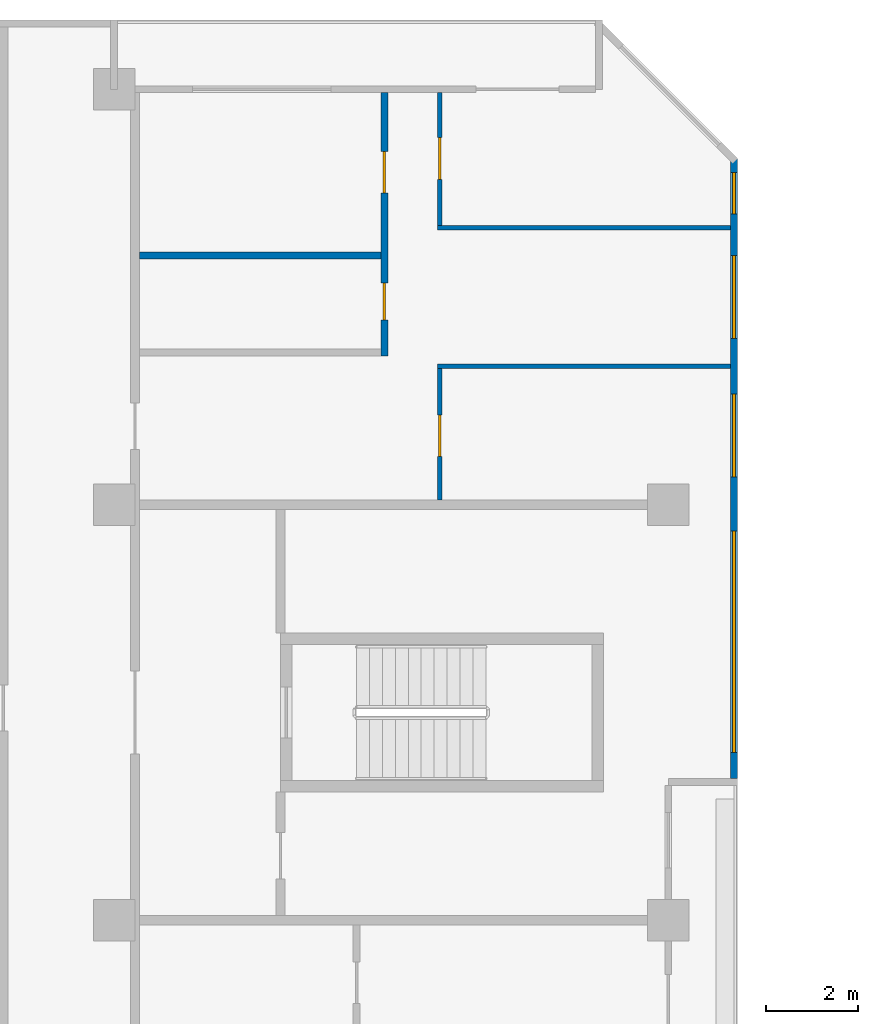
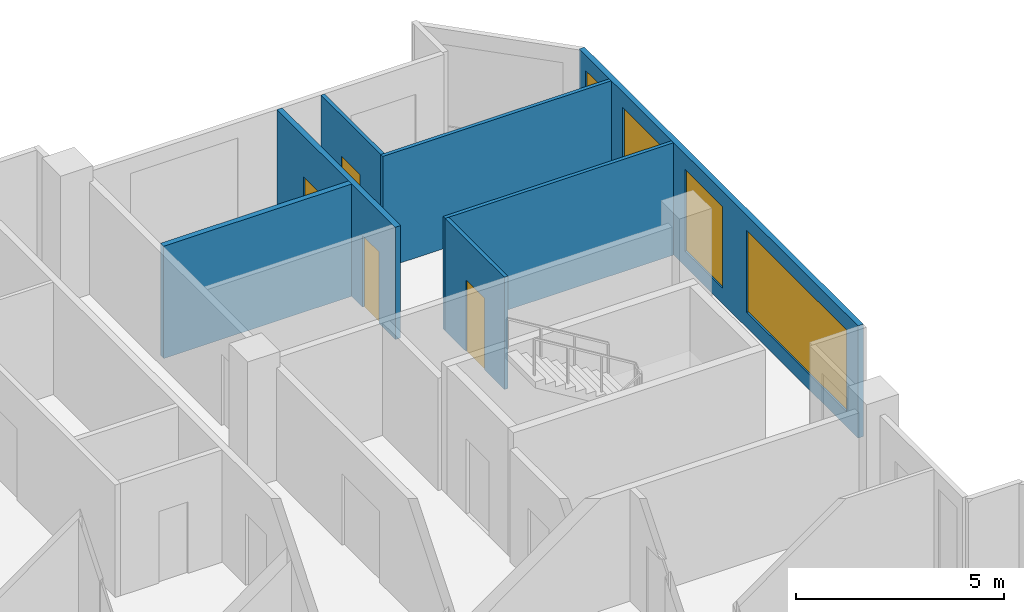
# One storey, part 11 of 15: 7 walls, 4 doors, 4 windows, 8 openings.
"""IFC4 building model written with IfcOpenShell, lengths in metres."""

from ifc_helpers import new_model, si_unit, direction, frame, frame_2d, origin, place, context, subcontext, project, spatial, rectangle, extrude, material, layer, layer_set, type_object, element, fill, save


model = new_model("IFC4")

# Units and contexts
model_context = context("Model", 3, precision=1e-05, world=origin(), true_north=direction((0.0, 1.0)))
body_context = subcontext(model_context, "Body", "Model", "MODEL_VIEW")
ifc_project = project(units=[si_unit("LENGTHUNIT", "METRE"), si_unit("AREAUNIT", "SQUARE_METRE"), si_unit("VOLUMEUNIT", "CUBIC_METRE"), si_unit("PLANEANGLEUNIT", "RADIAN"), si_unit("MASSUNIT", "GRAM", prefix="KILO")], contexts=[model_context])

# Site, building, storey
site_placement = place(None, origin())
site = spatial("IfcSite", under=ifc_project, at=site_placement, CompositionType="ELEMENT")
building_placement = place(site_placement, origin())
building = spatial("IfcBuilding", under=site, at=building_placement, Name="Chenar Terraces", CompositionType="ELEMENT")
storey_placement = place(building_placement, frame((0.0, 0.0, 202.39990234375)))
storey = spatial("IfcBuildingStorey", under=building, at=storey_placement, Name="L47", CompositionType="ELEMENT", Elevation=202.39990234375)

# Wall, openings, windows
ifc_material_1 = material(Name="Aluminium framed glazing", Category="aluminium")
ifc_layer_1 = layer(ifc_material_1, 0.14990234375)
ifc_layer_set_1 = layer_set([ifc_layer_1], Name="Aluminium framed glazing")
wall_type_1 = type_object("IfcWallType", Name="Glazed flush facade wall 150", PredefinedType="SOLIDWALL", material=ifc_layer_set_1)
wall_1_placement = place(storey_placement, frame((25.425048828125, 48.074951171875, 0.0), z_axis=(0.0, 0.0, 1.0), x_axis=(0.0, 1.0, 0.0)))
wall_1 = element("IfcWall", 1, at=wall_1_placement, inside=storey, type_object=wall_type_1, Name="Glazed flush facade wall", PredefinedType="SOLIDWALL", context=body_context, shape_type="SweptSolid", body=[
    extrude(rectangle(XDim=13.425048828125, YDim=0.14990234375, at=frame_2d((6.71240234375, 0.0))), origin(), (0.0, 0.0, 1.0), 3.300048828125),
])
opening_1_placement = place(wall_1_placement, frame((0.5625, 0.0, 0.449951171875)))
opening_1 = element("IfcOpeningElement", 2, at=opening_1_placement, cuts=wall_1, Name="Opening W480x240", PredefinedType="OPENING", context=body_context, shape_type="SweptSolid", body=[
    extrude(rectangle(XDim=4.800048828125, YDim=2.39990234375, at=frame_2d((2.39990234375, 1.199951171875))), frame((0.0, 0.0849609375, 0.0), z_axis=(0.0, -1.0, 0.0), x_axis=(1.0, 0.0, 0.0)), (0.0, 0.0, 1.0), 0.169921875),
])
opening_2_placement = place(wall_1_placement, frame((6.52490234375, 0.0, 0.449951171875)))
opening_2 = element("IfcOpeningElement", 3, at=opening_2_placement, cuts=wall_1, Name="Opening W180x240", PredefinedType="OPENING", context=body_context, shape_type="SweptSolid", body=[
    extrude(rectangle(XDim=1.800048828125, YDim=2.39990234375, at=frame_2d((0.89990234375, 1.199951171875))), frame((0.0, 0.0849609375, 0.0), z_axis=(0.0, -1.0, 0.0), x_axis=(1.0, 0.0, 0.0)), (0.0, 0.0, 1.0), 0.169921875),
])
opening_3_placement = place(wall_1_placement, frame((9.52490234375, 0.0, 0.449951171875)))
opening_3 = element("IfcOpeningElement", 4, at=opening_3_placement, cuts=wall_1, Name="Opening W180x240", PredefinedType="OPENING", context=body_context, shape_type="SweptSolid", body=[
    extrude(rectangle(XDim=1.800048828125, YDim=2.39990234375, at=frame_2d((0.89990234375, 1.199951171875))), frame((0.0, 0.0849609375, 0.0), z_axis=(0.0, -1.0, 0.0), x_axis=(1.0, 0.0, 0.0)), (0.0, 0.0, 1.0), 0.169921875),
])
opening_4_placement = place(wall_1_placement, frame((12.22509765625, 0.0, 0.449951171875)))
opening_4 = element("IfcOpeningElement", 5, at=opening_4_placement, cuts=wall_1, Name="Opening W90x240", PredefinedType="OPENING", context=body_context, shape_type="SweptSolid", body=[
    extrude(rectangle(XDim=0.89990234375, YDim=2.39990234375, at=frame_2d((0.449951171875, 1.199951171875))), frame((0.0, 0.0849609375, 0.0), z_axis=(0.0, -1.0, 0.0), x_axis=(1.0, 0.0, 0.0)), (0.0, 0.0, 1.0), 0.169921875),
])
ifc_material_2 = material(Name="Low emissivity double glazing, aluminium frame", Category="aluminium")
window_type_1 = type_object("IfcWindowType", Name="Fixed light 1800 x 2400", PartitioningType="SINGLE_PANEL", PredefinedType="WINDOW", material=ifc_material_2)
window_1_placement = place(opening_2_placement, origin())
window_1 = element("IfcWindow", 6, at=window_1_placement, inside=storey, type_object=window_type_1, Name="Window", OverallHeight=2.39990234375, OverallWidth=1.800048828125, PartitioningType="SINGLE_PANEL", PredefinedType="WINDOW", context=body_context, shape_type="SweptSolid", body=[
    extrude(rectangle(XDim=1.800048828125, YDim=2.39990234375, at=frame_2d((0.89990234375, 1.199951171875))), frame((0.0, 0.030029296875, 0.0), z_axis=(0.0, -1.0, 0.0), x_axis=(1.0, 0.0, 0.0)), (0.0, 0.0, 1.0), 0.06005859375),
])
fill(opening_2, window_1)
window_2_placement = place(opening_3_placement, origin())
window_2 = element("IfcWindow", 7, at=window_2_placement, inside=storey, type_object=window_type_1, Name="Window", OverallHeight=2.39990234375, OverallWidth=1.800048828125, PartitioningType="SINGLE_PANEL", PredefinedType="WINDOW", context=body_context, shape_type="SweptSolid", body=[
    extrude(rectangle(XDim=1.800048828125, YDim=2.39990234375, at=frame_2d((0.89990234375, 1.199951171875))), frame((0.0, 0.030029296875, 0.0), z_axis=(0.0, -1.0, 0.0), x_axis=(1.0, 0.0, 0.0)), (0.0, 0.0, 1.0), 0.06005859375),
])
fill(opening_3, window_2)
ifc_material_3 = material(Name="Low emissivity double glazing, aluminium frame", Category="aluminium")
window_type_2 = type_object("IfcWindowType", Name="Fixed light 4800 x 2400", PartitioningType="SINGLE_PANEL", PredefinedType="WINDOW", material=ifc_material_3)
window_3_placement = place(opening_1_placement, origin())
window_3 = element("IfcWindow", 8, at=window_3_placement, inside=storey, type_object=window_type_2, Name="Window", OverallHeight=2.39990234375, OverallWidth=4.800048828125, PartitioningType="SINGLE_PANEL", PredefinedType="WINDOW", context=body_context, shape_type="SweptSolid", body=[
    extrude(rectangle(XDim=4.800048828125, YDim=2.39990234375, at=frame_2d((2.39990234375, 1.199951171875))), frame((0.0, 0.030029296875, 0.0), z_axis=(0.0, -1.0, 0.0), x_axis=(1.0, 0.0, 0.0)), (0.0, 0.0, 1.0), 0.06005859375),
])
fill(opening_1, window_3)
ifc_material_4 = material(Name="Low emissivity double glazing, aluminium frame", Category="aluminium")
window_type_3 = type_object("IfcWindowType", Name="Fixed light 900 x 2400", PartitioningType="SINGLE_PANEL", PredefinedType="WINDOW", material=ifc_material_4)
window_4_placement = place(opening_4_placement, origin())
window_4 = element("IfcWindow", 9, at=window_4_placement, inside=storey, type_object=window_type_3, Name="Window", OverallHeight=2.39990234375, OverallWidth=0.89990234375, PartitioningType="SINGLE_PANEL", PredefinedType="WINDOW", context=body_context, shape_type="SweptSolid", body=[
    extrude(rectangle(XDim=0.89990234375, YDim=2.39990234375, at=frame_2d((0.449951171875, 1.199951171875))), frame((0.0, 0.030029296875, 0.0), z_axis=(0.0, -1.0, 0.0), x_axis=(1.0, 0.0, 0.0)), (0.0, 0.0, 1.0), 0.06005859375),
])
fill(opening_4, window_4)

# Walls
ifc_material_5 = material(Name="Gypsum board on steel studs", Category="steel")
ifc_layer_2 = layer(ifc_material_5, 0.10009765625)
ifc_layer_set_2 = layer_set([ifc_layer_2], Name="Gypsum board on steel studs")
wall_type_2 = type_object("IfcWallType", Name="Gypsum partition 100", PredefinedType="PARTITIONING", material=ifc_layer_set_2)
for number, where, z_axis, x_axis, name in (
    (10, (19.0, 57.0, 0.0), (0.0, 0.0, 1.0), (1.0, 0.0, 0.0), "Partition L47-054"),
    (11, (19.0, 60.0, 0.0), (0.0, 0.0, 1.0), (1.0, 0.0, 0.0), "Partition L47-055"),
):
    element("IfcWall", number, at=place(storey_placement, frame(where, z_axis=z_axis, x_axis=x_axis)), inside=storey, type_object=wall_type_2, Name=name, PredefinedType="PARTITIONING", context=body_context, shape_type="SweptSolid", body=[
        extrude(rectangle(XDim=6.35009765625, YDim=0.10009765625, at=frame_2d((3.175048828125, 0.0))), origin(), (0.0, 0.0, 1.0), 3.300048828125),
    ])

# Wall, opening, door
wall_2_placement = place(storey_placement, frame((19.050048828125, 54.10009765625, 0.0), z_axis=(0.0, 0.0, 1.0), x_axis=(0.0, 1.0, 0.0)))
wall_2 = element("IfcWall", 12, at=wall_2_placement, inside=storey, type_object=wall_type_2, Name="Partition L47-056", PredefinedType="PARTITIONING", context=body_context, shape_type="SweptSolid", body=[
    extrude(rectangle(XDim=2.849853515625, YDim=0.10009765625, at=frame_2d((1.4248046875, 0.0))), origin(), (0.0, 0.0, 1.0), 3.300048828125),
])
opening_5_placement = place(wall_2_placement, frame((0.949951171875, 0.0, 0.0)))
opening_5 = element("IfcOpeningElement", 13, at=opening_5_placement, cuts=wall_2, Name="Opening DL47-21", PredefinedType="OPENING", context=body_context, shape_type="SweptSolid", body=[
    extrude(rectangle(XDim=0.89990234375, YDim=2.10009765625, at=frame_2d((0.449951171875, 1.050048828125))), frame((0.0, 0.06005859375, 0.0), z_axis=(0.0, -1.0, 0.0), x_axis=(1.0, 0.0, 0.0)), (0.0, 0.0, 1.0), 0.1201171875),
])
ifc_material_6 = material(Name="Veneered timber door leaf", Category="wood")
door_type_1 = type_object("IfcDoorType", Name="Door 900 x 2100", OperationType="SINGLE_SWING_LEFT", PredefinedType="DOOR", material=ifc_material_6)
door_1_placement = place(opening_5_placement, frame((0.89990234375, 0.0, 0.0), z_axis=(0.0, 0.0, 1.0), x_axis=(-1.0, 0.0, 0.0)))
door_1 = element("IfcDoor", 14, at=door_1_placement, inside=storey, type_object=door_type_1, Name="Door DL47-21", OperationType="SINGLE_SWING_LEFT", OverallHeight=2.10009765625, OverallWidth=0.89990234375, PredefinedType="DOOR", context=body_context, shape_type="SweptSolid", body=[
    extrude(rectangle(XDim=0.89990234375, YDim=2.10009765625, at=frame_2d((0.449951171875, 1.050048828125))), frame((0.0, 0.02490234375, 0.0), z_axis=(0.0, -1.0, 0.0), x_axis=(1.0, 0.0, 0.0)), (0.0, 0.0, 1.0), 0.050048828125),
])
fill(opening_5, door_1)

wall_3_placement = place(storey_placement, frame((19.050048828125, 60.050048828125, 0.0), z_axis=(0.0, 0.0, 1.0), x_axis=(0.0, 1.0, 0.0)))
wall_3 = element("IfcWall", 15, at=wall_3_placement, inside=storey, type_object=wall_type_2, Name="Partition L47-057", PredefinedType="PARTITIONING", context=body_context, shape_type="SweptSolid", body=[
    extrude(rectangle(XDim=2.8759765625, YDim=0.10009765625, at=frame_2d((1.43798828125, 0.0))), origin(), (0.0, 0.0, 1.0), 3.300048828125),
])
opening_6_placement = place(wall_3_placement, frame((1.0, 0.0, 0.0)))
opening_6 = element("IfcOpeningElement", 16, at=opening_6_placement, cuts=wall_3, Name="Opening DL47-22", PredefinedType="OPENING", context=body_context, shape_type="SweptSolid", body=[
    extrude(rectangle(XDim=0.89990234375, YDim=2.10009765625, at=frame_2d((0.449951171875, 1.050048828125))), frame((0.0, 0.06005859375, 0.0), z_axis=(0.0, -1.0, 0.0), x_axis=(1.0, 0.0, 0.0)), (0.0, 0.0, 1.0), 0.1201171875),
])
door_2_placement = place(opening_6_placement, frame((0.89990234375, 0.0, 0.0), z_axis=(0.0, 0.0, 1.0), x_axis=(-1.0, 0.0, 0.0)))
door_2 = element("IfcDoor", 17, at=door_2_placement, inside=storey, type_object=door_type_1, Name="Door DL47-22", OperationType="SINGLE_SWING_LEFT", OverallHeight=2.10009765625, OverallWidth=0.89990234375, PredefinedType="DOOR", context=body_context, shape_type="SweptSolid", body=[
    extrude(rectangle(XDim=0.89990234375, YDim=2.10009765625, at=frame_2d((0.449951171875, 1.050048828125))), frame((0.0, 0.02490234375, 0.0), z_axis=(0.0, -1.0, 0.0), x_axis=(1.0, 0.0, 0.0)), (0.0, 0.0, 1.0), 0.050048828125),
])
fill(opening_6, door_2)

# Wall
ifc_material_7 = material(Name="Moisture-resistant gypsum board on steel studs", Category="steel")
ifc_layer_3 = layer(ifc_material_7, 0.14990234375)
ifc_layer_set_3 = layer_set([ifc_layer_3], Name="Moisture-resistant gypsum board on steel studs")
wall_type_3 = type_object("IfcWallType", Name="Wet-room partition 150", PredefinedType="PARTITIONING", material=ifc_layer_set_3)
wall_4_placement = place(storey_placement, frame((12.550048828125, 59.39990234375, 0.0), z_axis=(0.0, 0.0, 1.0), x_axis=(1.0, 0.0, 0.0)))
element("IfcWall", 18, at=wall_4_placement, inside=storey, type_object=wall_type_3, Name="Partition L47-045", PredefinedType="PARTITIONING", context=body_context, shape_type="SweptSolid", body=[
    extrude(rectangle(XDim=5.224853515625, YDim=0.14990234375, at=frame_2d((2.6123046875, 0.0))), origin(), (0.0, 0.0, 1.0), 3.300048828125),
])

# Wall, openings, doors
wall_5_placement = place(storey_placement, frame((17.85009765625, 57.22509765625, 0.0), z_axis=(0.0, 0.0, 1.0), x_axis=(0.0, 1.0, 0.0)))
wall_5 = element("IfcWall", 19, at=wall_5_placement, inside=storey, type_object=wall_type_3, Name="Partition L47-050", PredefinedType="PARTITIONING", context=body_context, shape_type="SweptSolid", body=[
    extrude(rectangle(XDim=5.700927734375, YDim=0.14990234375, at=frame_2d((2.8505859375, 0.0))), origin(), (0.0, 0.0, 1.0), 3.300048828125),
])
opening_7_placement = place(wall_5_placement, frame((0.77490234375, 0.0, 0.0)))
opening_7 = element("IfcOpeningElement", 20, at=opening_7_placement, cuts=wall_5, Name="Opening DL47-20", PredefinedType="OPENING", context=body_context, shape_type="SweptSolid", body=[
    extrude(rectangle(XDim=0.800048828125, YDim=2.10009765625, at=frame_2d((0.39990234375, 1.050048828125))), frame((0.0, 0.0849609375, 0.0), z_axis=(0.0, -1.0, 0.0), x_axis=(1.0, 0.0, 0.0)), (0.0, 0.0, 1.0), 0.169921875),
])
opening_8_placement = place(wall_5_placement, frame((3.52490234375, 0.0, 0.0)))
opening_8 = element("IfcOpeningElement", 21, at=opening_8_placement, cuts=wall_5, Name="Opening DL47-23", PredefinedType="OPENING", context=body_context, shape_type="SweptSolid", body=[
    extrude(rectangle(XDim=0.89990234375, YDim=2.10009765625, at=frame_2d((0.449951171875, 1.050048828125))), frame((0.0, 0.0849609375, 0.0), z_axis=(0.0, -1.0, 0.0), x_axis=(1.0, 0.0, 0.0)), (0.0, 0.0, 1.0), 0.169921875),
])
ifc_material_8 = material(Name="Veneered timber door leaf", Category="wood")
door_type_2 = type_object("IfcDoorType", Name="Door 800 x 2100", OperationType="SINGLE_SWING_LEFT", PredefinedType="DOOR", material=ifc_material_8)
door_3_placement = place(opening_7_placement, origin())
door_3 = element("IfcDoor", 22, at=door_3_placement, inside=storey, type_object=door_type_2, Name="Door DL47-20", OperationType="SINGLE_SWING_RIGHT", OverallHeight=2.10009765625, OverallWidth=0.800048828125, PredefinedType="DOOR", context=body_context, shape_type="SweptSolid", body=[
    extrude(rectangle(XDim=0.800048828125, YDim=2.10009765625, at=frame_2d((0.39990234375, 1.050048828125))), frame((0.0, 0.02490234375, 0.0), z_axis=(0.0, -1.0, 0.0), x_axis=(1.0, 0.0, 0.0)), (0.0, 0.0, 1.0), 0.050048828125),
])
fill(opening_7, door_3)
door_4_placement = place(opening_8_placement, origin())
door_4 = element("IfcDoor", 23, at=door_4_placement, inside=storey, type_object=door_type_1, Name="Door DL47-23", OperationType="SINGLE_SWING_LEFT", OverallHeight=2.10009765625, OverallWidth=0.89990234375, PredefinedType="DOOR", context=body_context, shape_type="SweptSolid", body=[
    extrude(rectangle(XDim=0.89990234375, YDim=2.10009765625, at=frame_2d((0.449951171875, 1.050048828125))), frame((0.0, 0.02490234375, 0.0), z_axis=(0.0, -1.0, 0.0), x_axis=(1.0, 0.0, 0.0)), (0.0, 0.0, 1.0), 0.050048828125),
])
fill(opening_8, door_4)

save(model, "model.ifc")
